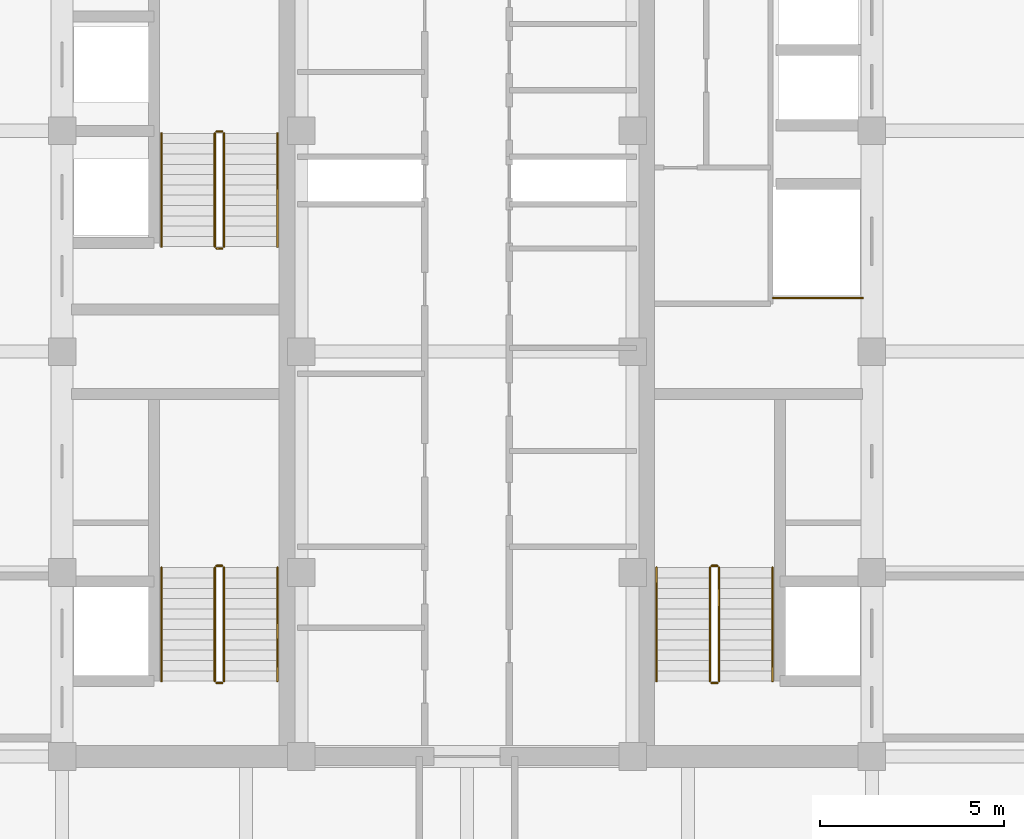
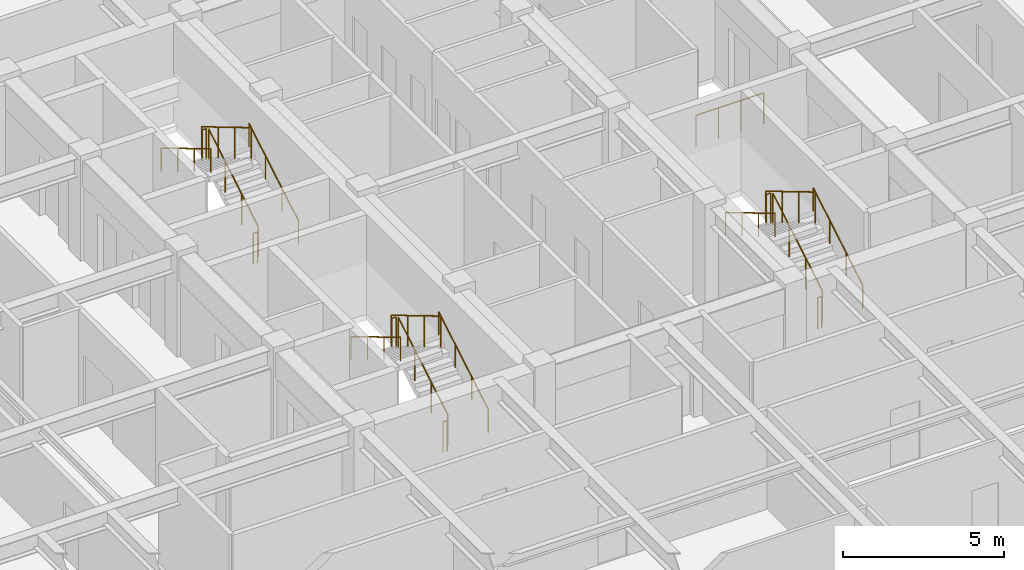
# One storey, part 22 of 22: 19 railings.
"""IFC4 building model written with IfcOpenShell, lengths in metres."""

from ifc_helpers import new_model, si_unit, direction, frame, origin, origin_2d, place, context, subcontext, project, spatial, circle, extrude, source, transform, mapped, material, type_object, element, save


model = new_model("IFC4")

# Units and contexts
model_context = context("Model", 3, precision=1e-05, world=origin(), true_north=direction((0.0, 1.0)))
body_context = subcontext(model_context, "Body", "Model", "MODEL_VIEW")
ifc_project = project(units=[si_unit("LENGTHUNIT", "METRE"), si_unit("AREAUNIT", "SQUARE_METRE"), si_unit("VOLUMEUNIT", "CUBIC_METRE"), si_unit("PLANEANGLEUNIT", "RADIAN"), si_unit("MASSUNIT", "GRAM", prefix="KILO")], contexts=[model_context])

# Site, building, storey
site_placement = place(None, origin())
site = spatial("IfcSite", under=ifc_project, at=site_placement, CompositionType="ELEMENT")
building_placement = place(site_placement, origin())
building = spatial("IfcBuilding", under=site, at=building_placement, Name="Khorayat Bourse Tower", CompositionType="ELEMENT")
storey_placement = place(building_placement, frame((0.0, 0.0, 293.5)))
storey = spatial("IfcBuildingStorey", under=building, at=storey_placement, Name="L69", CompositionType="ELEMENT", Elevation=293.5)

# Railings
ifc_material_1 = material(Name="Powder-coated steel balustrade", Category="steel")
railing_type_1 = type_object("IfcRailingType", Name="RLG-GUARD-1200", PredefinedType="GUARDRAIL", material=ifc_material_1)
shared_shape_1 = source(origin(), body_context, "Body", "SweptSolid", [
    extrude(circle(Radius=0.02392578125, at=origin_2d()), frame((0.0, 0.0, 1.17578125), z_axis=(-1.0, 0.0, 0.0), x_axis=(0.0, -1.0, 0.0)), (0.0, 0.0, 1.0), 0.150146484375),
    extrude(circle(Radius=0.02099609375, at=origin_2d()), origin(), (0.0, 0.0, 1.0), 1.15185546875),
    extrude(circle(Radius=0.02099609375, at=origin_2d()), frame((-0.150146484375, 0.0, 0.0)), (0.0, 0.0, 1.0), 1.15185546875),
])
for number, where, name in (
    (1, (-6.64990234375, -5.820068359375, 2.0), "L69 ST-1 stair guard 2"),
    (2, (-6.64990234375, -9.0, 0.0), "L69 ST-1 stair guard 4"),
    (3, (-6.64990234375, 5.97998046875, 2.0), "L69 ST-2 stair guard 2"),
    (4, (-6.64990234375, 2.800048828125, 0.0), "L69 ST-2 stair guard 4"),
    (5, (6.800048828125, -5.820068359375, 2.0), "L69 ST-3 stair guard 2"),
    (6, (6.800048828125, -9.0, 0.0), "L69 ST-3 stair guard 4"),
):
    element("IfcRailing", number, at=place(storey_placement, frame(where)), inside=storey, type_object=railing_type_1, Name=name, PredefinedType="GUARDRAIL", context=body_context, shape_type="MappedRepresentation", body=[
        mapped(shared_shape_1, transform((0.0, 0.0, 0.0), scale=1.0)),
    ])
shared_shape_2 = source(origin(), body_context, "Body", "SweptSolid", [
    extrude(circle(Radius=0.02392578125, at=origin_2d()), frame((0.0, 0.0, 1.17578125), z_axis=(0.0, 0.859290745958, 0.51148745235), x_axis=(-1.0, 0.0, 0.0)), (0.0, 0.0, 1.0), 3.584228515625),
    extrude(circle(Radius=0.02099609375, at=origin_2d()), origin(), (0.0, 0.0, 1.0), 1.15185546875),
    extrude(circle(Radius=0.02099609375, at=origin_2d()), frame((0.0, 1.026611328125, 0.611083984375)), (0.0, 0.0, 1.0), 1.15185546875),
    extrude(circle(Radius=0.02099609375, at=origin_2d()), frame((0.0, 2.05322265625, 1.22216796875)), (0.0, 0.0, 1.0), 1.15185546875),
    extrude(circle(Radius=0.02099609375, at=origin_2d()), frame((0.0, 3.079833984375, 1.833251953125)), (0.0, 0.0, 1.0), 1.15185546875),
])
for number, where, name in (
    (7, (-6.60009765625, -8.949951171875, 0.166748046875), "L69 ST-1 stair guard 1"),
    (8, (-6.60009765625, 2.85009765625, 0.166748046875), "L69 ST-2 stair guard 1"),
    (9, (6.85009765625, -8.949951171875, 0.166748046875), "L69 ST-3 stair guard 1"),
):
    element("IfcRailing", number, at=place(storey_placement, frame(where)), inside=storey, type_object=railing_type_1, Name=name, PredefinedType="GUARDRAIL", context=body_context, shape_type="MappedRepresentation", body=[
        mapped(shared_shape_2, transform((0.0, 0.0, 0.0), scale=1.0)),
    ])
shared_shape_3 = source(origin(), body_context, "Body", "SweptSolid", [
    extrude(circle(Radius=0.02392578125, at=origin_2d()), frame((0.0, 0.0, 1.17578125), z_axis=(0.0, -0.859290745958, 0.51148745235), x_axis=(1.0, 0.0, 0.0)), (0.0, 0.0, 1.0), 3.584228515625),
    extrude(circle(Radius=0.02099609375, at=origin_2d()), origin(), (0.0, 0.0, 1.0), 1.15185546875),
    extrude(circle(Radius=0.02099609375, at=origin_2d()), frame((0.0, -1.026611328125, 0.611083984375)), (0.0, 0.0, 1.0), 1.15185546875),
    extrude(circle(Radius=0.02099609375, at=origin_2d()), frame((0.0, -2.05322265625, 1.22216796875)), (0.0, 0.0, 1.0), 1.15185546875),
    extrude(circle(Radius=0.02099609375, at=origin_2d()), frame((0.0, -3.079833984375, 1.833251953125)), (0.0, 0.0, 1.0), 1.15185546875),
])
for number, where, name in (
    (10, (-6.85009765625, -5.8701171875, 2.166748046875), "L69 ST-1 stair guard 3"),
    (11, (-6.85009765625, 5.929931640625, 2.166748046875), "L69 ST-2 stair guard 3"),
    (12, (6.60009765625, -5.8701171875, 2.166748046875), "L69 ST-3 stair guard 3"),
):
    element("IfcRailing", number, at=place(storey_placement, frame(where)), inside=storey, type_object=railing_type_1, Name=name, PredefinedType="GUARDRAIL", context=body_context, shape_type="MappedRepresentation", body=[
        mapped(shared_shape_3, transform((0.0, 0.0, 0.0), scale=1.0)),
    ])
ifc_material_2 = material(Name="Brushed bronze stainless-steel handrail", Category="steel")
railing_type_2 = type_object("IfcRailingType", Name="RLG-HAND-900", PredefinedType="HANDRAIL", material=ifc_material_2)
shared_shape_4 = source(origin(), body_context, "Body", "SweptSolid", [
    extrude(circle(Radius=0.02392578125, at=origin_2d()), frame((0.0, 0.0, 0.8759765625), z_axis=(0.0, 0.859290745958, 0.51148745235), x_axis=(-1.0, 0.0, 0.0)), (0.0, 0.0, 1.0), 3.584228515625),
    extrude(circle(Radius=0.02099609375, at=origin_2d()), origin(), (0.0, 0.0, 1.0), 0.851806640625),
    extrude(circle(Radius=0.02099609375, at=origin_2d()), frame((0.0, 1.026611328125, 0.611083984375)), (0.0, 0.0, 1.0), 0.851806640625),
    extrude(circle(Radius=0.02099609375, at=origin_2d()), frame((0.0, 2.05322265625, 1.22216796875)), (0.0, 0.0, 1.0), 0.851806640625),
    extrude(circle(Radius=0.02099609375, at=origin_2d()), frame((0.0, 3.079833984375, 1.833251953125)), (0.0, 0.0, 1.0), 0.851806640625),
])
for number, where, name in (
    (13, (-5.14990234375, -8.949951171875, 0.166748046875), "L69 ST-1 stair handrail 1"),
    (14, (-5.14990234375, 2.85009765625, 0.166748046875), "L69 ST-2 stair handrail 1"),
    (15, (8.300048828125, -8.949951171875, 0.166748046875), "L69 ST-3 stair handrail 1"),
):
    element("IfcRailing", number, at=place(storey_placement, frame(where)), inside=storey, type_object=railing_type_2, Name=name, PredefinedType="HANDRAIL", context=body_context, shape_type="MappedRepresentation", body=[
        mapped(shared_shape_4, transform((0.0, 0.0, 0.0), scale=1.0)),
    ])
shared_shape_5 = source(origin(), body_context, "Body", "SweptSolid", [
    extrude(circle(Radius=0.02392578125, at=origin_2d()), frame((0.0, 0.0, 0.8759765625), z_axis=(0.0, -0.859290745958, 0.51148745235), x_axis=(1.0, 0.0, 0.0)), (0.0, 0.0, 1.0), 3.584228515625),
    extrude(circle(Radius=0.02099609375, at=origin_2d()), origin(), (0.0, 0.0, 1.0), 0.851806640625),
    extrude(circle(Radius=0.02099609375, at=origin_2d()), frame((0.0, -1.026611328125, 0.611083984375)), (0.0, 0.0, 1.0), 0.851806640625),
    extrude(circle(Radius=0.02099609375, at=origin_2d()), frame((0.0, -2.05322265625, 1.22216796875)), (0.0, 0.0, 1.0), 0.851806640625),
    extrude(circle(Radius=0.02099609375, at=origin_2d()), frame((0.0, -3.079833984375, 1.833251953125)), (0.0, 0.0, 1.0), 0.851806640625),
])
for number, where, name in (
    (16, (-8.300048828125, -5.8701171875, 2.166748046875), "L69 ST-1 stair handrail 2"),
    (17, (-8.300048828125, 5.929931640625, 2.166748046875), "L69 ST-2 stair handrail 2"),
    (18, (5.14990234375, -5.8701171875, 2.166748046875), "L69 ST-3 stair handrail 2"),
):
    element("IfcRailing", number, at=place(storey_placement, frame(where)), inside=storey, type_object=railing_type_2, Name=name, PredefinedType="HANDRAIL", context=body_context, shape_type="MappedRepresentation", body=[
        mapped(shared_shape_5, transform((0.0, 0.0, 0.0), scale=1.0)),
    ])
shared_shape_6 = source(origin(), body_context, "Body", "SweptSolid", [
    extrude(circle(Radius=0.02392578125, at=origin_2d()), frame((0.0, 0.0, 1.17578125), z_axis=(1.0, 0.0, 0.0), x_axis=(0.0, 1.0, 0.0)), (0.0, 0.0, 1.0), 2.429931640625),
    extrude(circle(Radius=0.02099609375, at=origin_2d()), origin(), (0.0, 0.0, 1.0), 1.15185546875),
    extrude(circle(Radius=0.02099609375, at=origin_2d()), frame((0.81005859375, 0.0, 0.0)), (0.0, 0.0, 1.0), 1.15185546875),
    extrude(circle(Radius=0.02099609375, at=origin_2d()), frame((1.619873046875, 0.0, 0.0)), (0.0, 0.0, 1.0), 1.15185546875),
    extrude(circle(Radius=0.02099609375, at=origin_2d()), frame((2.429931640625, 0.0, 0.0)), (0.0, 0.0, 1.0), 1.15185546875),
])
railing_placement = place(storey_placement, frame((8.320068359375, 1.4599609375, 0.0)))
element("IfcRailing", 19, at=railing_placement, inside=storey, type_object=railing_type_1, Name="L69 Goods Shaft Opening Guardrail", PredefinedType="GUARDRAIL", context=body_context, shape_type="MappedRepresentation", body=[
    mapped(shared_shape_6, transform((0.0, 0.0, 0.0), scale=1.0)),
])

save(model, "model.ifc")
